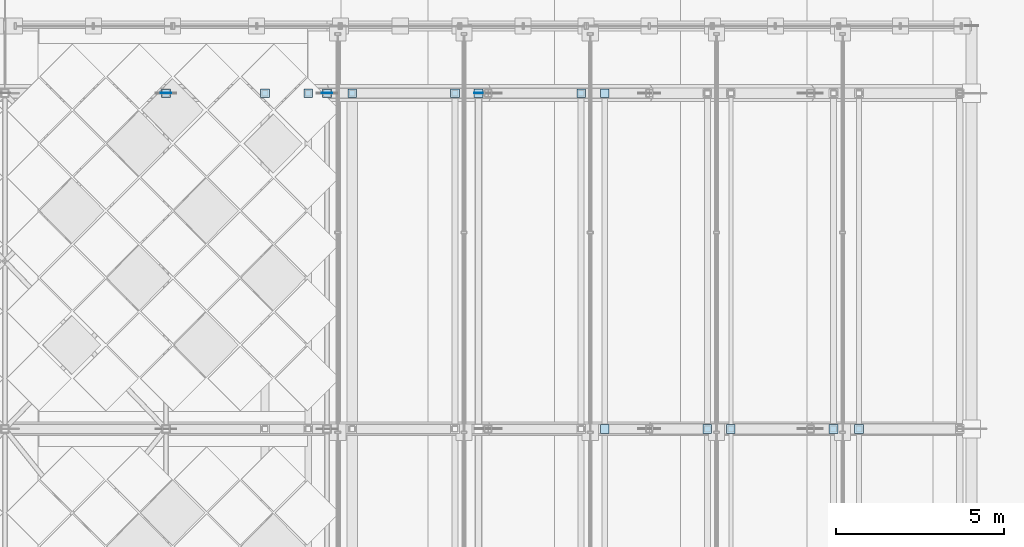
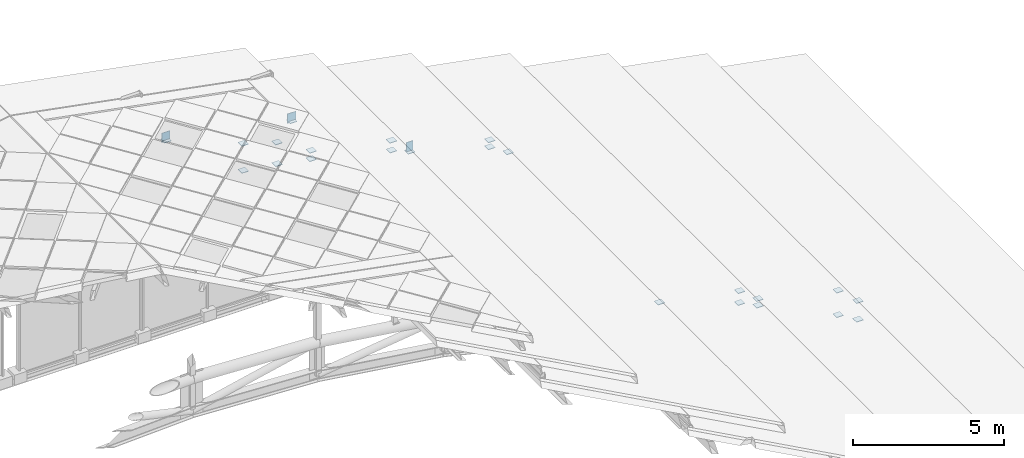
# One storey, part 108 of 117: 26 plates.
"""IFC4 building model written with IfcOpenShell, lengths in metres."""

from ifc_helpers import new_model, si_unit, direction, frame, origin, origin_2d, place, context, subcontext, project, spatial, rectangle, extrude, material, layer, layer_set, type_object, element, save


model = new_model("IFC4")

# Units and contexts
model_context = context("Model", 3, precision=1e-05, world=origin(), true_north=direction((0.0, 1.0)))
body_context = subcontext(model_context, "Body", "Model", "MODEL_VIEW")
ifc_project = project(units=[si_unit("LENGTHUNIT", "METRE"), si_unit("AREAUNIT", "SQUARE_METRE"), si_unit("VOLUMEUNIT", "CUBIC_METRE"), si_unit("PLANEANGLEUNIT", "RADIAN"), si_unit("MASSUNIT", "GRAM", prefix="KILO")], contexts=[model_context])

# Site, building, storey
site_placement = place(None, origin())
site = spatial("IfcSite", under=ifc_project, at=site_placement, CompositionType="ELEMENT")
building_placement = place(site_placement, origin())
building = spatial("IfcBuilding", under=site, at=building_placement, Name="Merenkruunu Market Hall", CompositionType="ELEMENT")
storey_placement = place(building_placement, frame((0.0, 0.0, 22.800048828125)))
storey = spatial("IfcBuildingStorey", under=building, at=storey_placement, Name="RF", CompositionType="ELEMENT", Elevation=22.800048828125)

# Plates
ifc_material = material(Name="Steel S355ML", Category="steel")
ifc_layer_1 = layer(ifc_material, 0.02001953125)
ifc_layer_set_1 = layer_set([ifc_layer_1], Name="Steel S355ML")
plate_type_1 = type_object("IfcPlateType", Name="Truss Gusset Or Cap Plate CP04", PredefinedType="USERDEFINED", material=ifc_layer_set_1)
for number, where, z_axis, x_axis, name in (
    (1, (54.25, 99.60009765625, -7.998779296875), (0.0, 0.0, 1.0), (1.0, 0.0, 0.0), "PLT-AT-8-RBASE-E1-2"),
    (2, (54.25, 99.60009765625, -7.241455078125), (0.0, 0.0, 1.0), (1.0, 0.0, 0.0), "PLT-AT-8-RCAP-E1-2"),
    (3, (53.489990234375, 99.60009765625, -7.5498046875), (0.0, 0.0, 1.0), (1.0, 0.0, 0.0), "PLT-AT-8-RBASE-E2-1"),
    (4, (53.489990234375, 99.60009765625, -6.56005859375), (0.0, 0.0, 1.0), (1.0, 0.0, 0.0), "PLT-AT-8-RCAP-E2-1"),
    (5, (50.429931640625, 99.60009765625, -6.09326171875), (0.0, 0.0, 1.0), (1.0, 0.0, 0.0), "PLT-AT-8-RBASE-E2-2"),
    (6, (50.429931640625, 99.60009765625, -5.827392578125), (0.0, 0.0, 1.0), (1.0, 0.0, 0.0), "PLT-AT-8-RCAP-E2-2"),
    (7, (49.72998046875, 99.60009765625, -5.73876953125), (0.0, 0.0, 1.0), (1.0, 0.0, 0.0), "PLT-AT-8-RBASE-E3-1"),
    (8, (49.72998046875, 99.60009765625, -5.26025390625), (0.0, 0.0, 1.0), (1.0, 0.0, 0.0), "PLT-AT-8-RCAP-E3-1"),
    (9, (46.669921875, 99.60009765625, -4.65234375), (0.0, 0.0, 1.0), (1.0, 0.0, 0.0), "PLT-AT-8-RCAP-E3-2"),
    (10, (33.60009765625, 109.60009765625, 0.40185546875), (0.0, 0.0, 1.0), (1.0, 0.0, 0.0), "PLT-AT-G-PCAP-07"),
    (11, (38.39990234375, 109.60009765625, -0.50048828125), (0.0, 0.0, 1.0), (1.0, 0.0, 0.0), "PLT-AT-G-PCAP-08"),
    (12, (46.669921875, 109.60009765625, -4.65234375), (0.0, 0.0, 1.0), (1.0, 0.0, 0.0), "PLT-AT-G-RCAP-E3-2"),
    (13, (45.969970703125, 109.60009765625, -4.203125), (0.0, 0.0, 1.0), (1.0, 0.0, 0.0), "PLT-AT-G-RBASE-E4-1"),
    (14, (45.969970703125, 109.60009765625, -3.920166015625), (0.0, 0.0, 1.0), (1.0, 0.0, 0.0), "PLT-AT-G-RCAP-E4-1"),
    (15, (42.909912109375, 109.60009765625, -3.3046875), (0.0, 0.0, 1.0), (1.0, 0.0, 0.0), "PLT-AT-G-RCAP-E4-2"),
    (16, (42.2099609375, 109.60009765625, -3.02099609375), (0.0, 0.0, 1.0), (1.0, 0.0, 0.0), "PLT-AT-G-RBASE-E5-1"),
    (17, (42.2099609375, 109.60009765625, -2.620361328125), (0.0, 0.0, 1.0), (1.0, 0.0, 0.0), "PLT-AT-G-RCAP-E5-1"),
    (18, (39.14990234375, 109.60009765625, -2.2939453125), (0.0, 0.0, 1.0), (1.0, 0.0, 0.0), "PLT-AT-G-RBASE-E5-2"),
    (19, (39.14990234375, 109.60009765625, -1.954345703125), (0.0, 0.0, 1.0), (1.0, 0.0, 0.0), "PLT-AT-G-RCAP-E5-2"),
    (20, (37.840087890625, 109.60009765625, -2.0380859375), (0.0, 0.0, 1.0), (1.0, 0.0, 0.0), "PLT-AT-G-RBASE-E6-1"),
    (21, (37.840087890625, 109.60009765625, -1.1669921875), (0.0, 0.0, 1.0), (1.0, 0.0, 0.0), "PLT-AT-G-RCAP-E6-1"),
    (22, (36.550048828125, 109.60009765625, -1.857177734375), (0.0, 0.0, 1.0), (1.0, 0.0, 0.0), "PLT-AT-G-RBASE-E6-2"),
    (23, (36.550048828125, 109.60009765625, -0.763427734375), (0.0, 0.0, 1.0), (1.0, 0.0, 0.0), "PLT-AT-G-RCAP-E6-2"),
):
    element("IfcPlate", number, at=place(storey_placement, frame(where, z_axis=z_axis, x_axis=x_axis)), inside=storey, type_object=plate_type_1, Name=name, ObjectType="GUSSET_PLATE", PredefinedType="USERDEFINED", context=body_context, shape_type="SweptSolid", body=[
        extrude(rectangle(XDim=0.260009765625, YDim=0.260009765625, at=origin_2d()), origin(), (0.0, 0.0, 1.0), 0.02001953125),
    ])
ifc_layer_2 = layer(ifc_material, 0.02197265625)
ifc_layer_set_2 = layer_set([ifc_layer_2], Name="Steel S355ML")
plate_type_2 = type_object("IfcPlateType", Name="Truss Gusset Or Cap Plate CP05", PredefinedType="USERDEFINED", material=ifc_layer_set_2)
for number, where, z_axis, x_axis, name in (
    (24, (33.60009765625, 109.610107421875, 0.35693359375), (0.0, 0.0, 1.0), (1.0, 0.0, 0.0), "PLT-CROWNCAP-4-2"),
    (25, (38.39990234375, 109.610107421875, -0.54541015625), (0.0, 0.0, 1.0), (1.0, 0.0, 0.0), "PLT-CROWNCAP-5-2"),
):
    element("IfcPlate", number, at=place(storey_placement, frame(where, z_axis=z_axis, x_axis=x_axis)), inside=storey, type_object=plate_type_2, Name=name, ObjectType="GUSSET_PLATE", PredefinedType="USERDEFINED", context=body_context, shape_type="SweptSolid", body=[
        extrude(rectangle(XDim=0.320068359375, YDim=0.02197265625, at=origin_2d()), origin(), (0.0, 0.0, 1.0), 0.3798828125),
    ])
ifc_layer_3 = layer(ifc_material, 0.02001953125)
ifc_layer_set_3 = layer_set([ifc_layer_3], Name="Steel S355ML")
plate_type_3 = type_object("IfcPlateType", Name="Truss Gusset Or Cap Plate CP07", PredefinedType="USERDEFINED", material=ifc_layer_set_3)
plate_placement = place(storey_placement, frame((42.909912109375, 109.610107421875, -3.309814453125), z_axis=(0.0, 0.0, 1.0), x_axis=(1.0, 0.0, 0.0)))
element("IfcPlate", 26, at=plate_placement, inside=storey, type_object=plate_type_3, Name="PLT-PRCAP-04", ObjectType="GUSSET_PLATE", PredefinedType="USERDEFINED", context=body_context, shape_type="SweptSolid", body=[
    extrude(rectangle(XDim=0.260009765625, YDim=0.02001953125, at=origin_2d()), origin(), (0.0, 0.0, 1.0), 0.39990234375),
])

save(model, "model.ifc")
